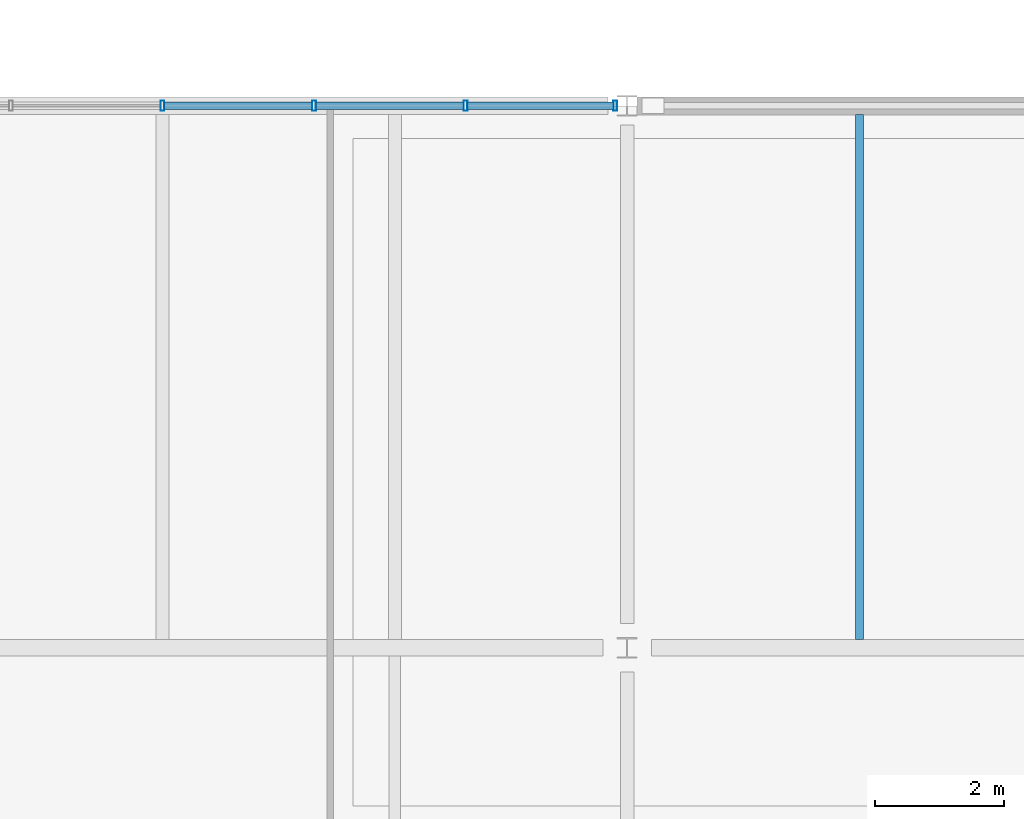
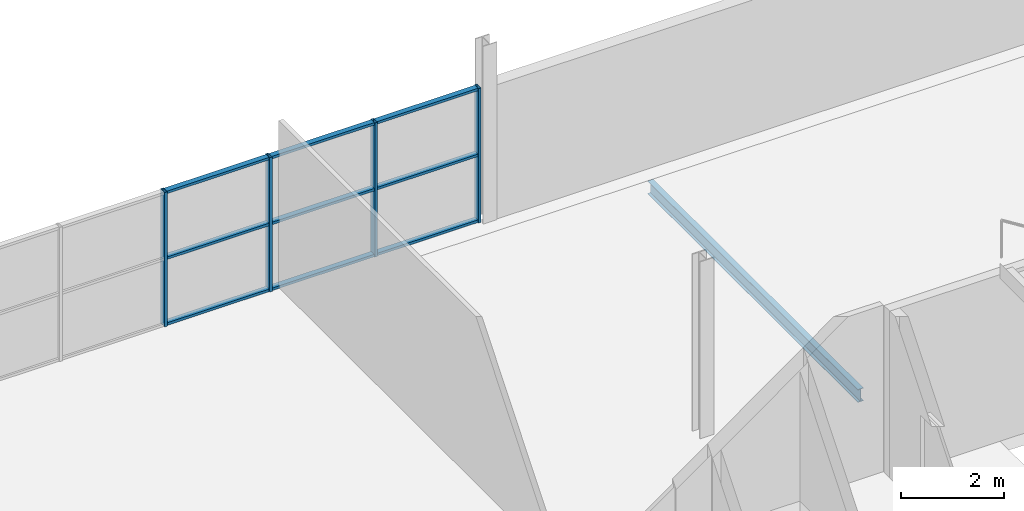
# One storey, part 88 of 161: 13 members, 1 beam, 1 element without a shape of its own.
"""IFC4 building model written with IfcOpenShell, lengths in metres."""

from ifc_helpers import new_model, si_unit, direction, frame, origin, origin_2d, place, context, subcontext, project, spatial, hollow_rectangle, i_section, extrude, material, material_profile, profile_set, type_object, element, aggregate, save


model = new_model("IFC4")

# Units and contexts
model_context = context("Model", 3, precision=1e-05, world=origin(), true_north=direction((0.0, 1.0)))
body_context = subcontext(model_context, "Body", "Model", "MODEL_VIEW")
ifc_project = project(units=[si_unit("LENGTHUNIT", "METRE"), si_unit("AREAUNIT", "SQUARE_METRE"), si_unit("VOLUMEUNIT", "CUBIC_METRE"), si_unit("PLANEANGLEUNIT", "RADIAN"), si_unit("MASSUNIT", "GRAM", prefix="KILO"), si_unit("THERMODYNAMICTEMPERATUREUNIT", "KELVIN")], contexts=[model_context])

# Site, building, storey
site_placement = place(None, origin())
site = spatial("IfcSite", under=ifc_project, at=site_placement, CompositionType="ELEMENT")
building_placement = place(site_placement, origin())
building = spatial("IfcBuilding", under=site, at=building_placement, Name="Nduvali Passage Aquatics Centre", CompositionType="ELEMENT")
storey_placement = place(building_placement, frame((0.0, 0.0, 4.800048828125)))
storey = spatial("IfcBuildingStorey", under=building, at=storey_placement, Name="L01", CompositionType="ELEMENT", Elevation=4.800048828125)

# Curtain wall, members
ifc_material_1 = material(Name="Aluminium EN AW-6063 T6", Category="aluminium")
curtain_wall_type = type_object("IfcCurtainWallType", Name="ENV-CW-WELL", PredefinedType="NOTDEFINED", material=ifc_material_1)
curtain_wall_placement = place(storey_placement, origin())
curtain_wall = element("IfcCurtainWall", 1, at=curtain_wall_placement, inside=storey, type_object=curtain_wall_type, Name="L01 North Avenue Fitness CW 112", PredefinedType="NOTDEFINED")
ifc_material_profile_1 = material_profile(ifc_material_1, hollow_rectangle(XDim=0.06005859375, YDim=0.159912109375, WallThickness=0.00390625, at=origin_2d()), Name="ALU MULLION 60x160x4")
ifc_profile_set_1 = profile_set([ifc_material_profile_1], Name="Aluminium EN AW-6063 T6")
member_type_1 = type_object("IfcMemberType", Name="ENV-MEM-MUL60", PredefinedType="MULLION", material=ifc_profile_set_1)
member_1_placement = place(storey_placement, frame((104.39990234375, 117.60009765625, 0.0), z_axis=(0.0, 0.0, 1.0), x_axis=(1.0, 0.0, 0.0)))
member_1 = element("IfcMember", 2, at=member_1_placement, type_object=member_type_1, Name="North Avenue Fitness CW Mullion 4", PredefinedType="MULLION", context=body_context, shape_type="SweptSolid", body=[
    extrude(hollow_rectangle(XDim=0.06005859375, YDim=0.159912109375, WallThickness=0.00390625, at=origin_2d()), origin(), (0.0, 0.0, 1.0), 3.173828125),
])
member_2_placement = place(storey_placement, frame((106.74853515625, 117.60009765625, 0.0), z_axis=(0.0, 0.0, 1.0), x_axis=(1.0, 0.0, 0.0)))
member_2 = element("IfcMember", 3, at=member_2_placement, type_object=member_type_1, Name="North Avenue Fitness CW Mullion 5", PredefinedType="MULLION", context=body_context, shape_type="SweptSolid", body=[
    extrude(hollow_rectangle(XDim=0.06005859375, YDim=0.159912109375, WallThickness=0.00390625, at=origin_2d()), origin(), (0.0, 0.0, 1.0), 3.173828125),
])
member_3_placement = place(storey_placement, frame((109.096923828125, 117.60009765625, 0.0), z_axis=(0.0, 0.0, 1.0), x_axis=(1.0, 0.0, 0.0)))
member_3 = element("IfcMember", 4, at=member_3_placement, type_object=member_type_1, Name="North Avenue Fitness CW Mullion 6", PredefinedType="MULLION", context=body_context, shape_type="SweptSolid", body=[
    extrude(hollow_rectangle(XDim=0.06005859375, YDim=0.159912109375, WallThickness=0.00390625, at=origin_2d()), origin(), (0.0, 0.0, 1.0), 3.173828125),
])
member_4_placement = place(storey_placement, frame((111.415283203125, 117.60009765625, 0.0), z_axis=(0.0, 0.0, 1.0), x_axis=(1.0, 0.0, 0.0)))
member_4 = element("IfcMember", 5, at=member_4_placement, type_object=member_type_1, Name="North Avenue Fitness CW Mullion 7", PredefinedType="MULLION", context=body_context, shape_type="SweptSolid", body=[
    extrude(hollow_rectangle(XDim=0.06005859375, YDim=0.159912109375, WallThickness=0.00390625, at=origin_2d()), origin(), (0.0, 0.0, 1.0), 3.173828125),
])
ifc_material_profile_2 = material_profile(ifc_material_1, hollow_rectangle(XDim=0.1201171875, YDim=0.06005859375, WallThickness=0.00390625, at=origin_2d()), Name="ALU TRANSOM 120x60x4")
ifc_profile_set_2 = profile_set([ifc_material_profile_2], Name="Aluminium EN AW-6063 T6")
member_type_2 = type_object("IfcMemberType", Name="ENV-MEM-TRN60", PredefinedType="USERDEFINED", material=ifc_profile_set_2)
member_5_placement = place(storey_placement, frame((104.429931640625, 117.60009765625, 0.030029296875), z_axis=(1.0, 0.0, 0.0), x_axis=(0.0, 1.0, 0.0)))
member_5 = element("IfcMember", 6, at=member_5_placement, type_object=member_type_2, Name="North Avenue Fitness CW Transom B4-R0", ObjectType="TRANSOM", PredefinedType="USERDEFINED", context=body_context, shape_type="SweptSolid", body=[
    extrude(hollow_rectangle(XDim=0.1201171875, YDim=0.06005859375, WallThickness=0.00390625, at=origin_2d()), origin(), (0.0, 0.0, 1.0), 2.28857421875),
])
member_6_placement = place(storey_placement, frame((104.429931640625, 117.60009765625, 1.5869140625), z_axis=(1.0, 0.0, 0.0), x_axis=(0.0, 1.0, 0.0)))
member_6 = element("IfcMember", 7, at=member_6_placement, type_object=member_type_2, Name="North Avenue Fitness CW Transom B4-R1", ObjectType="TRANSOM", PredefinedType="USERDEFINED", context=body_context, shape_type="SweptSolid", body=[
    extrude(hollow_rectangle(XDim=0.1201171875, YDim=0.06005859375, WallThickness=0.00390625, at=origin_2d()), origin(), (0.0, 0.0, 1.0), 2.28857421875),
])
member_7_placement = place(storey_placement, frame((104.429931640625, 117.60009765625, 3.143798828125), z_axis=(1.0, 0.0, 0.0), x_axis=(0.0, 1.0, 0.0)))
member_7 = element("IfcMember", 8, at=member_7_placement, type_object=member_type_2, Name="North Avenue Fitness CW Transom B4-R2", ObjectType="TRANSOM", PredefinedType="USERDEFINED", context=body_context, shape_type="SweptSolid", body=[
    extrude(hollow_rectangle(XDim=0.1201171875, YDim=0.06005859375, WallThickness=0.00390625, at=origin_2d()), origin(), (0.0, 0.0, 1.0), 2.28857421875),
])
member_8_placement = place(storey_placement, frame((106.778564453125, 117.60009765625, 0.030029296875), z_axis=(1.0, 0.0, 0.0), x_axis=(0.0, 1.0, 0.0)))
member_8 = element("IfcMember", 9, at=member_8_placement, type_object=member_type_2, Name="North Avenue Fitness CW Transom B5-R0", ObjectType="TRANSOM", PredefinedType="USERDEFINED", context=body_context, shape_type="SweptSolid", body=[
    extrude(hollow_rectangle(XDim=0.1201171875, YDim=0.06005859375, WallThickness=0.00390625, at=origin_2d()), origin(), (0.0, 0.0, 1.0), 2.288330078125),
])
member_9_placement = place(storey_placement, frame((106.778564453125, 117.60009765625, 1.5869140625), z_axis=(1.0, 0.0, 0.0), x_axis=(0.0, 1.0, 0.0)))
member_9 = element("IfcMember", 10, at=member_9_placement, type_object=member_type_2, Name="North Avenue Fitness CW Transom B5-R1", ObjectType="TRANSOM", PredefinedType="USERDEFINED", context=body_context, shape_type="SweptSolid", body=[
    extrude(hollow_rectangle(XDim=0.1201171875, YDim=0.06005859375, WallThickness=0.00390625, at=origin_2d()), origin(), (0.0, 0.0, 1.0), 2.288330078125),
])
member_10_placement = place(storey_placement, frame((106.778564453125, 117.60009765625, 3.143798828125), z_axis=(1.0, 0.0, 0.0), x_axis=(0.0, 1.0, 0.0)))
member_10 = element("IfcMember", 11, at=member_10_placement, type_object=member_type_2, Name="North Avenue Fitness CW Transom B5-R2", ObjectType="TRANSOM", PredefinedType="USERDEFINED", context=body_context, shape_type="SweptSolid", body=[
    extrude(hollow_rectangle(XDim=0.1201171875, YDim=0.06005859375, WallThickness=0.00390625, at=origin_2d()), origin(), (0.0, 0.0, 1.0), 2.288330078125),
])
member_11_placement = place(storey_placement, frame((109.126953125, 117.60009765625, 0.030029296875), z_axis=(1.0, 0.0, 0.0), x_axis=(0.0, 1.0, 0.0)))
member_11 = element("IfcMember", 12, at=member_11_placement, type_object=member_type_2, Name="North Avenue Fitness CW Transom B6-R0", ObjectType="TRANSOM", PredefinedType="USERDEFINED", context=body_context, shape_type="SweptSolid", body=[
    extrude(hollow_rectangle(XDim=0.1201171875, YDim=0.06005859375, WallThickness=0.00390625, at=origin_2d()), origin(), (0.0, 0.0, 1.0), 2.258544921875),
])
member_12_placement = place(storey_placement, frame((109.126953125, 117.60009765625, 1.5869140625), z_axis=(1.0, 0.0, 0.0), x_axis=(0.0, 1.0, 0.0)))
member_12 = element("IfcMember", 13, at=member_12_placement, type_object=member_type_2, Name="North Avenue Fitness CW Transom B6-R1", ObjectType="TRANSOM", PredefinedType="USERDEFINED", context=body_context, shape_type="SweptSolid", body=[
    extrude(hollow_rectangle(XDim=0.1201171875, YDim=0.06005859375, WallThickness=0.00390625, at=origin_2d()), origin(), (0.0, 0.0, 1.0), 2.258544921875),
])
member_13_placement = place(storey_placement, frame((109.126953125, 117.60009765625, 3.143798828125), z_axis=(1.0, 0.0, 0.0), x_axis=(0.0, 1.0, 0.0)))
member_13 = element("IfcMember", 14, at=member_13_placement, type_object=member_type_2, Name="North Avenue Fitness CW Transom B6-R2", ObjectType="TRANSOM", PredefinedType="USERDEFINED", context=body_context, shape_type="SweptSolid", body=[
    extrude(hollow_rectangle(XDim=0.1201171875, YDim=0.06005859375, WallThickness=0.00390625, at=origin_2d()), origin(), (0.0, 0.0, 1.0), 2.258544921875),
])
aggregate(curtain_wall, [member_1, member_2, member_3, member_4, member_5, member_6, member_7, member_8, member_9, member_10, member_11, member_12, member_13])

# Beam
ifc_material_2 = material(Name="Steel S355", Category="steel")
ifc_material_profile_3 = material_profile(ifc_material_2, i_section(OverallWidth=0.124267578125, OverallDepth=0.30712890625, WebThickness=0.008056640625, FlangeThickness=0.01220703125, FilletRadius=0.0087890625, at=origin_2d()), Name="UKB 305x127x42")
ifc_profile_set_3 = profile_set([ifc_material_profile_3], Name="Steel S355")
beam_type = type_object("IfcBeamType", Name="STR-JST-UKB305L", PredefinedType="JOIST", material=ifc_profile_set_3)
beam_placement = place(storey_placement, frame((115.199951171875, 109.326904296875, -0.437744140625), z_axis=(0.0, 1.0, 0.0), x_axis=(-1.0, 0.0, 0.0)))
element("IfcBeam", 15, at=beam_placement, inside=storey, type_object=beam_type, Name="L01 Secondary Joist J3A-0856", PredefinedType="JOIST", context=body_context, shape_type="SweptSolid", body=[
    extrude(i_section(OverallWidth=0.124267578125, OverallDepth=0.30712890625, WebThickness=0.008056640625, FlangeThickness=0.01220703125, FilletRadius=0.0087890625, at=origin_2d()), origin(), (0.0, 0.0, 1.0), 8.139892578125),
])

save(model, "model.ifc")
